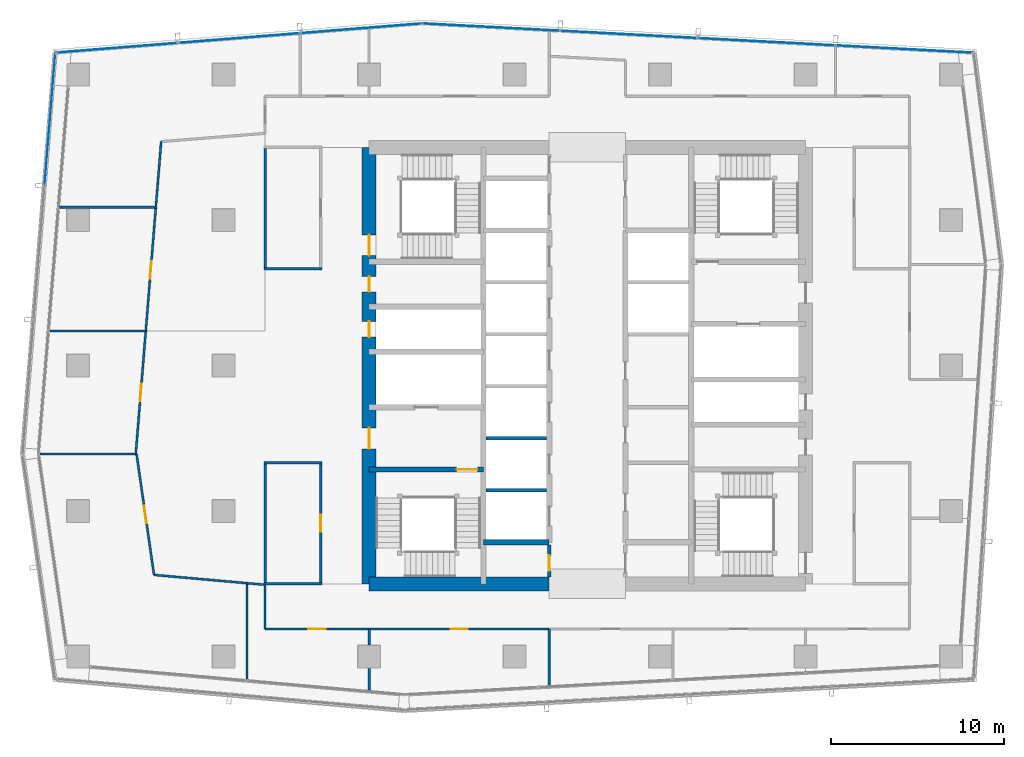
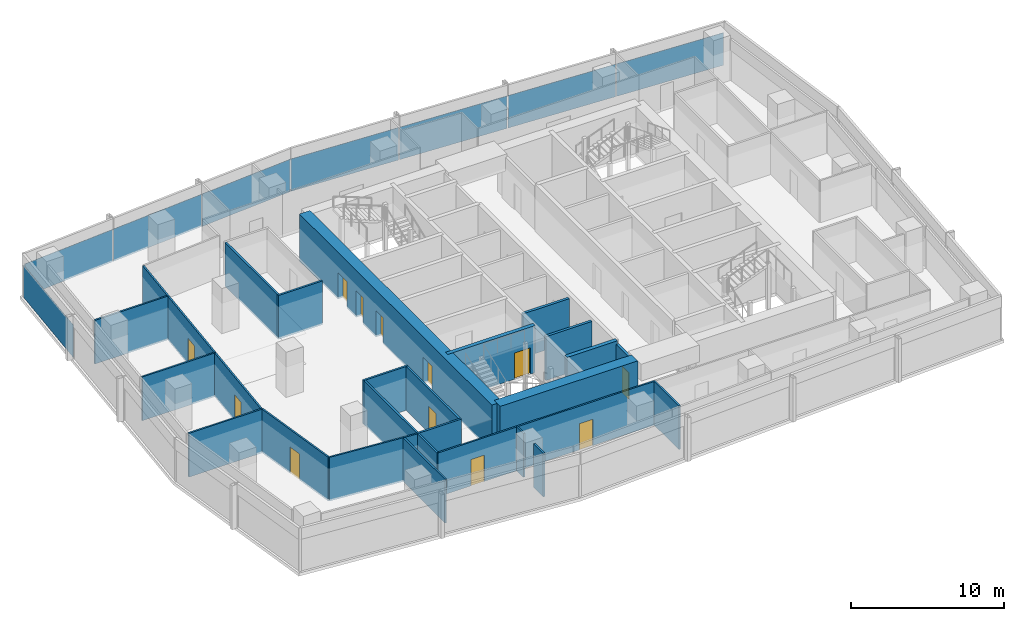
# One storey, part 22 of 29: 29 walls, 12 doors, 8 plates, 12 openings, 3 elements without a shape of their own.
"""IFC4 building model written with IfcOpenShell, lengths in metres."""

from ifc_helpers import new_model, si_unit, direction, frame, frame_2d, origin, origin_2d, place, context, subcontext, project, spatial, rectangle, extrude, material, layer, layer_set, type_object, element, fill, aggregate, save


model = new_model("IFC4")

# Units and contexts
model_context = context("Model", 3, precision=1e-05, world=origin(), true_north=direction((0.0, 1.0)))
body_context = subcontext(model_context, "Body", "Model", "MODEL_VIEW")
ifc_project = project(units=[si_unit("LENGTHUNIT", "METRE"), si_unit("AREAUNIT", "SQUARE_METRE"), si_unit("VOLUMEUNIT", "CUBIC_METRE"), si_unit("PLANEANGLEUNIT", "RADIAN"), si_unit("MASSUNIT", "GRAM", prefix="KILO")], contexts=[model_context])

# Site, building, storey
site_placement = place(None, origin())
site = spatial("IfcSite", under=ifc_project, at=site_placement, CompositionType="ELEMENT")
building_placement = place(site_placement, origin())
building = spatial("IfcBuilding", under=site, at=building_placement, Name="Rekha Terrace Tower", CompositionType="ELEMENT")
storey_placement = place(building_placement, frame((0.0, 0.0, 276.35009765625)))
storey = spatial("IfcBuildingStorey", under=building, at=storey_placement, Name="L70", CompositionType="ELEMENT", Elevation=276.35009765625)

# Curtain wall, plate
ifc_material_1 = material(Name="Aluminium framing", Category="aluminium")
curtain_wall_type_1 = type_object("IfcCurtainWallType", Name="CW2 double skin outer glazing", PredefinedType="USERDEFINED", material=ifc_material_1)
curtain_wall_1_placement = place(storey_placement, origin())
curtain_wall_1 = element("IfcCurtainWall", 1, at=curtain_wall_1_placement, inside=storey, type_object=curtain_wall_type_1, Name="CW2 double skin outer glazing", ObjectType="DOUBLE SKIN OUTER GLAZING", PredefinedType="USERDEFINED")
ifc_material_2 = material(Name="Toughened single glazing 12", Category="glass")
ifc_layer_1 = layer(ifc_material_2, 0.011962890625)
ifc_layer_set_1 = layer_set([ifc_layer_1], Name="Toughened single glazing 12")
plate_type_1 = type_object("IfcPlateType", Name="CW2 jumbo vision panel, toughened single glazing 12", PredefinedType="CURTAIN_PANEL", material=ifc_layer_set_1)
plate_1_placement = place(storey_placement, frame((6.7822265625, 47.813720703125, -0.000244140625), z_axis=(0.0, 0.0, 1.0), x_axis=(-0.081067906816, -0.996708580521, 0.0)))
plate_1 = element("IfcPlate", 2, at=plate_1_placement, type_object=plate_type_1, Name="CW2 panel 1.1", PredefinedType="CURTAIN_PANEL", context=body_context, shape_type="SweptSolid", body=[
    extrude(rectangle(XDim=7.640869140625, YDim=0.011962890625, at=origin_2d()), origin(), (0.0, 0.0, 1.0), 2.60009765625),
])
aggregate(curtain_wall_1, [plate_1])

# Curtain wall, plates
curtain_wall_type_2 = type_object("IfcCurtainWallType", Name="CW3 north unitised glazing", PredefinedType="USERDEFINED", material=ifc_material_1)
curtain_wall_2_placement = place(storey_placement, origin())
curtain_wall_2 = element("IfcCurtainWall", 3, at=curtain_wall_2_placement, inside=storey, type_object=curtain_wall_type_2, Name="CW3 unitised curtain wall", ObjectType="UNITISED CURTAIN WALL", PredefinedType="USERDEFINED")
ifc_material_3 = material(Name="Double-glazed unit 28", Category="glass")
ifc_layer_2 = layer(ifc_material_3, 0.028076171875)
ifc_layer_set_2 = layer_set([ifc_layer_2], Name="Double-glazed unit 28")
plate_type_2 = type_object("IfcPlateType", Name="CW3 jumbo vision panel, double-glazed unit 28", PredefinedType="CURTAIN_PANEL", material=ifc_layer_set_2)
plate_2_placement = place(storey_placement, frame((56.080322265625, 51.871337890625, -0.000244140625), z_axis=(0.0, 0.0, 1.0), x_axis=(-0.998590089005, 0.053083275524, 0.0)))
plate_2 = element("IfcPlate", 4, at=plate_2_placement, type_object=plate_type_2, Name="CW3 panel 1.1", PredefinedType="CURTAIN_PANEL", context=body_context, shape_type="SweptSolid", body=[
    extrude(rectangle(XDim=7.856201171875, YDim=0.028076171875, at=origin_2d()), origin(), (0.0, 0.0, 1.0), 2.60009765625),
])
plate_3_placement = place(storey_placement, frame((48.14794921875, 52.29296875, -0.000244140625), z_axis=(0.0, 0.0, 1.0), x_axis=(-0.998590089005, 0.053083275524, 0.0)))
plate_3 = element("IfcPlate", 5, at=plate_3_placement, type_object=plate_type_2, Name="CW3 panel 2.1", PredefinedType="CURTAIN_PANEL", context=body_context, shape_type="SweptSolid", body=[
    extrude(rectangle(XDim=7.891357421875, YDim=0.028076171875, at=origin_2d()), origin(), (0.0, 0.0, 1.0), 2.60009765625),
])
plate_4_placement = place(storey_placement, frame((40.19775390625, 52.715576171875, -0.000244140625), z_axis=(0.0, 0.0, 1.0), x_axis=(-0.998590089005, 0.053083275524, 0.0)))
plate_4 = element("IfcPlate", 6, at=plate_4_placement, type_object=plate_type_2, Name="CW3 panel 3.1", PredefinedType="CURTAIN_PANEL", context=body_context, shape_type="SweptSolid", body=[
    extrude(rectangle(XDim=7.891357421875, YDim=0.028076171875, at=origin_2d()), origin(), (0.0, 0.0, 1.0), 2.60009765625),
])
plate_5_placement = place(storey_placement, frame((32.230224609375, 53.13916015625, -0.000244140625), z_axis=(0.0, 0.0, 1.0), x_axis=(-0.998590089005, 0.053083275524, 0.0)))
plate_5 = element("IfcPlate", 7, at=plate_5_placement, type_object=plate_type_2, Name="CW3 panel 4.1", PredefinedType="CURTAIN_PANEL", context=body_context, shape_type="SweptSolid", body=[
    extrude(rectangle(XDim=7.92626953125, YDim=0.028076171875, at=origin_2d()), origin(), (0.0, 0.0, 1.0), 2.60009765625),
])
aggregate(curtain_wall_2, [plate_2, plate_3, plate_4, plate_5])

curtain_wall_3_placement = place(storey_placement, origin())
curtain_wall_3 = element("IfcCurtainWall", 8, at=curtain_wall_3_placement, inside=storey, type_object=curtain_wall_type_2, Name="CW3 unitised curtain wall", ObjectType="UNITISED CURTAIN WALL", PredefinedType="USERDEFINED")
plate_6_placement = place(storey_placement, frame((24.732421875, 53.0673828125, -0.000244140625), z_axis=(0.0, 0.0, 1.0), x_axis=(-0.996836058026, -0.07948505154, 0.0)))
plate_6 = element("IfcPlate", 9, at=plate_6_placement, type_object=plate_type_2, Name="CW3 panel 1.1", PredefinedType="CURTAIN_PANEL", context=body_context, shape_type="SweptSolid", body=[
    extrude(rectangle(XDim=6.963134765625, YDim=0.028076171875, at=origin_2d()), origin(), (0.0, 0.0, 1.0), 2.60009765625),
])
plate_7_placement = place(storey_placement, frame((17.7041015625, 52.5068359375, -0.000244140625), z_axis=(0.0, 0.0, 1.0), x_axis=(-0.996836058026, -0.07948505154, 0.0)))
plate_7 = element("IfcPlate", 10, at=plate_7_placement, type_object=plate_type_2, Name="CW3 panel 2.1", PredefinedType="CURTAIN_PANEL", context=body_context, shape_type="SweptSolid", body=[
    extrude(rectangle(XDim=6.998046875, YDim=0.028076171875, at=origin_2d()), origin(), (0.0, 0.0, 1.0), 2.60009765625),
])
plate_8_placement = place(storey_placement, frame((10.67578125, 51.946533203125, -0.000244140625), z_axis=(0.0, 0.0, 1.0), x_axis=(-0.996836058026, -0.07948505154, 0.0)))
plate_8 = element("IfcPlate", 11, at=plate_8_placement, type_object=plate_type_2, Name="CW3 panel 3.1", PredefinedType="CURTAIN_PANEL", context=body_context, shape_type="SweptSolid", body=[
    extrude(rectangle(XDim=6.963134765625, YDim=0.028076171875, at=origin_2d()), origin(), (0.0, 0.0, 1.0), 2.60009765625),
])
aggregate(curtain_wall_3, [plate_6, plate_7, plate_8])

# Wall
ifc_material_4 = material(Name="Concrete M60", Category="concrete")
ifc_layer_3 = layer(ifc_material_4, 0.300048828125)
ifc_layer_set_3 = layer_set([ifc_layer_3], Name="Concrete M60")
wall_type_1 = type_object("IfcWallType", Name="CI5 300 core internal shear wall", PredefinedType="SHEAR", material=ifc_layer_set_3)
wall_1_placement = place(storey_placement, frame((31.800048828125, 23.39990234375, 0.0), z_axis=(0.0, 0.0, 1.0), x_axis=(1.0, 0.0, 0.0)))
element("IfcWall", 12, at=wall_1_placement, inside=storey, type_object=wall_type_1, Name="Core wall Y234W L70", PredefinedType="SHEAR", context=body_context, shape_type="SweptSolid", body=[
    extrude(rectangle(XDim=3.800048828125, YDim=0.300048828125, at=frame_2d((1.89990234375, 0.0))), origin(), (0.0, 0.0, 1.0), 3.75),
])

# Wall, opening, door
wall_2_placement = place(storey_placement, frame((25.199951171875, 27.60009765625, 0.0), z_axis=(0.0, 0.0, 1.0), x_axis=(1.0, 0.0, 0.0)))
wall_2 = element("IfcWall", 13, at=wall_2_placement, inside=storey, type_object=wall_type_1, Name="Core wall Y276W L70", PredefinedType="SHEAR", context=body_context, shape_type="SweptSolid", body=[
    extrude(rectangle(XDim=6.60009765625, YDim=0.300048828125, at=frame_2d((3.300048828125, 0.0))), origin(), (0.0, 0.0, 1.0), 3.75),
])
opening_1_placement = place(wall_2_placement, frame((5.050048828125, 0.0, 0.0)))
opening_1 = element("IfcOpeningElement", 14, at=opening_1_placement, cuts=wall_2, Name="Opening D1", PredefinedType="OPENING", context=body_context, shape_type="SweptSolid", body=[
    extrude(rectangle(XDim=1.199951171875, YDim=2.10009765625, at=frame_2d((0.60009765625, 1.050048828125))), frame((0.0, 0.159912109375, 0.0), z_axis=(0.0, -1.0, 0.0), x_axis=(1.0, 0.0, 0.0)), (0.0, 0.0, 1.0), 0.320068359375),
])
ifc_material_5 = material(Name="Steel fire door", Category="steel")
door_type_1 = type_object("IfcDoorType", Name="D1 1200x2100 stair fire door", OperationType="SINGLE_SWING_RIGHT", PredefinedType="DOOR", material=ifc_material_5)
door_1_placement = place(opening_1_placement, origin())
door_1 = element("IfcDoor", 15, at=door_1_placement, inside=storey, type_object=door_type_1, Name="Stair ST1 door L70", OperationType="SINGLE_SWING_RIGHT", OverallHeight=2.10009765625, OverallWidth=1.199951171875, PredefinedType="DOOR", context=body_context, shape_type="SweptSolid", body=[
    extrude(rectangle(XDim=1.199951171875, YDim=2.10009765625, at=frame_2d((0.60009765625, 1.050048828125))), frame((0.0, 0.02490234375, 0.0), z_axis=(0.0, -1.0, 0.0), x_axis=(1.0, 0.0, 0.0)), (0.0, 0.0, 1.0), 0.050048828125),
])
fill(opening_1, door_1)

# Wall
ifc_layer_4 = layer(ifc_material_4, 0.800048828125)
ifc_layer_set_4 = layer_set([ifc_layer_4], Name="Concrete M60")
wall_type_2 = type_object("IfcWallType", Name="SW5 800 core outer shear wall", PredefinedType="SHEAR", material=ifc_layer_set_4)
wall_3_placement = place(storey_placement, frame((25.199951171875, 21.0, 0.0), z_axis=(0.0, 0.0, 1.0), x_axis=(1.0, 0.0, 0.0)))
element("IfcWall", 16, at=wall_3_placement, inside=storey, type_object=wall_type_2, Name="Core wall S1 L70", PredefinedType="SHEAR", context=body_context, shape_type="SweptSolid", body=[
    extrude(rectangle(XDim=10.400146484375, YDim=0.800048828125, at=frame_2d((5.2001953125, 0.0))), origin(), (0.0, 0.0, 1.0), 3.75),
])

# Wall, openings, doors
wall_4_placement = place(storey_placement, frame((25.199951171875, 21.0, 0.0), z_axis=(0.0, 0.0, 1.0), x_axis=(0.0, 1.0, 0.0)))
wall_4 = element("IfcWall", 17, at=wall_4_placement, inside=storey, type_object=wall_type_2, Name="Core wall W L70", PredefinedType="SHEAR", context=body_context, shape_type="SweptSolid", body=[
    extrude(rectangle(XDim=25.199951171875, YDim=0.800048828125, at=frame_2d((12.60009765625, 0.0))), origin(), (0.0, 0.0, 1.0), 3.75),
])
opening_2_placement = place(wall_4_placement, frame((7.800048828125, 0.0, 0.0)))
opening_2 = element("IfcOpeningElement", 18, at=opening_2_placement, cuts=wall_4, Name="Opening D2", PredefinedType="OPENING", context=body_context, shape_type="SweptSolid", body=[
    extrude(rectangle(XDim=1.199951171875, YDim=2.10009765625, at=frame_2d((0.60009765625, 1.050048828125))), frame((0.0, 0.409912109375, 0.0), z_axis=(0.0, -1.0, 0.0), x_axis=(1.0, 0.0, 0.0)), (0.0, 0.0, 1.0), 0.820068359375),
])
opening_3_placement = place(wall_4_placement, frame((14.25, 0.0, 0.0)))
opening_3 = element("IfcOpeningElement", 19, at=opening_3_placement, cuts=wall_4, Name="Opening D5", PredefinedType="OPENING", context=body_context, shape_type="SweptSolid", body=[
    extrude(rectangle(XDim=0.89990234375, YDim=2.10009765625, at=frame_2d((0.449951171875, 1.050048828125))), frame((0.0, 0.409912109375, 0.0), z_axis=(0.0, -1.0, 0.0), x_axis=(1.0, 0.0, 0.0)), (0.0, 0.0, 1.0), 0.820068359375),
])
opening_4_placement = place(wall_4_placement, frame((16.85009765625, 0.0, 0.0)))
opening_4 = element("IfcOpeningElement", 20, at=opening_4_placement, cuts=wall_4, Name="Opening D5", PredefinedType="OPENING", context=body_context, shape_type="SweptSolid", body=[
    extrude(rectangle(XDim=0.89990234375, YDim=2.10009765625, at=frame_2d((0.449951171875, 1.050048828125))), frame((0.0, 0.409912109375, 0.0), z_axis=(0.0, -1.0, 0.0), x_axis=(1.0, 0.0, 0.0)), (0.0, 0.0, 1.0), 0.820068359375),
])
opening_5_placement = place(wall_4_placement, frame((18.949951171875, 0.0, 0.0)))
opening_5 = element("IfcOpeningElement", 21, at=opening_5_placement, cuts=wall_4, Name="Opening D1", PredefinedType="OPENING", context=body_context, shape_type="SweptSolid", body=[
    extrude(rectangle(XDim=1.199951171875, YDim=2.10009765625, at=frame_2d((0.60009765625, 1.050048828125))), frame((0.0, 0.409912109375, 0.0), z_axis=(0.0, -1.0, 0.0), x_axis=(1.0, 0.0, 0.0)), (0.0, 0.0, 1.0), 0.820068359375),
])
door_2_placement = place(opening_5_placement, origin())
door_2 = element("IfcDoor", 22, at=door_2_placement, inside=storey, type_object=door_type_1, Name="Stair ST4 door L70", OperationType="SINGLE_SWING_RIGHT", OverallHeight=2.10009765625, OverallWidth=1.199951171875, PredefinedType="DOOR", context=body_context, shape_type="SweptSolid", body=[
    extrude(rectangle(XDim=1.199951171875, YDim=2.10009765625, at=frame_2d((0.60009765625, 1.050048828125))), frame((0.0, 0.02490234375, 0.0), z_axis=(0.0, -1.0, 0.0), x_axis=(1.0, 0.0, 0.0)), (0.0, 0.0, 1.0), 0.050048828125),
])
fill(opening_5, door_2)
door_type_2 = type_object("IfcDoorType", Name="D2 1200x2100 firefighting lobby door", OperationType="SINGLE_SWING_LEFT", PredefinedType="DOOR", material=ifc_material_5)
door_3_placement = place(opening_2_placement, origin())
door_3 = element("IfcDoor", 23, at=door_3_placement, inside=storey, type_object=door_type_2, Name="Door flb1 L70", OperationType="SINGLE_SWING_LEFT", OverallHeight=2.10009765625, OverallWidth=1.199951171875, PredefinedType="DOOR", context=body_context, shape_type="SweptSolid", body=[
    extrude(rectangle(XDim=1.199951171875, YDim=2.10009765625, at=frame_2d((0.60009765625, 1.050048828125))), frame((0.0, 0.02490234375, 0.0), z_axis=(0.0, -1.0, 0.0), x_axis=(1.0, 0.0, 0.0)), (0.0, 0.0, 1.0), 0.050048828125),
])
fill(opening_2, door_3)
door_type_3 = type_object("IfcDoorType", Name="D5 900x2100 riser access door", OperationType="SINGLE_SWING_LEFT", PredefinedType="DOOR", material=ifc_material_5)
door_4_placement = place(opening_3_placement, origin())
door_4 = element("IfcDoor", 24, at=door_4_placement, inside=storey, type_object=door_type_3, Name="Door rs1 L70", OperationType="SINGLE_SWING_LEFT", OverallHeight=2.10009765625, OverallWidth=0.89990234375, PredefinedType="DOOR", context=body_context, shape_type="SweptSolid", body=[
    extrude(rectangle(XDim=0.89990234375, YDim=2.10009765625, at=frame_2d((0.449951171875, 1.050048828125))), frame((0.0, 0.02490234375, 0.0), z_axis=(0.0, -1.0, 0.0), x_axis=(1.0, 0.0, 0.0)), (0.0, 0.0, 1.0), 0.050048828125),
])
fill(opening_3, door_4)
door_5_placement = place(opening_4_placement, origin())
door_5 = element("IfcDoor", 25, at=door_5_placement, inside=storey, type_object=door_type_3, Name="Door elw L70", OperationType="SINGLE_SWING_LEFT", OverallHeight=2.10009765625, OverallWidth=0.89990234375, PredefinedType="DOOR", context=body_context, shape_type="SweptSolid", body=[
    extrude(rectangle(XDim=0.89990234375, YDim=2.10009765625, at=frame_2d((0.449951171875, 1.050048828125))), frame((0.0, 0.02490234375, 0.0), z_axis=(0.0, -1.0, 0.0), x_axis=(1.0, 0.0, 0.0)), (0.0, 0.0, 1.0), 0.050048828125),
])
fill(opening_4, door_5)

# Walls
ifc_material_6 = material(Name="Concrete block masonry, 1 hour", Category="masonry")
ifc_layer_5 = layer(ifc_material_6, 0.14990234375)
ifc_layer_set_5 = layer_set([ifc_layer_5], Name="Concrete block masonry, 1 hour")
wall_type_3 = type_object("IfcWallType", Name="WP2 150 tenancy partition", PredefinedType="PARTITIONING", material=ifc_layer_set_5)
wall_5_placement = place(storey_placement, frame((19.125, 39.199951171875, 0.0), z_axis=(0.0, 0.0, 1.0), x_axis=(1.0, 0.0, 0.0)))
element("IfcWall", 26, at=wall_5_placement, inside=storey, type_object=wall_type_3, Name="Women's WC wall L70", PredefinedType="PARTITIONING", context=body_context, shape_type="SweptSolid", body=[
    extrude(rectangle(XDim=3.35009765625, YDim=0.14990234375, at=frame_2d((1.675048828125, 0.0))), origin(), (0.0, 0.0, 1.0), 3.5),
])
wall_6_placement = place(storey_placement, frame((19.199951171875, 39.27490234375, 0.0), z_axis=(0.0, 0.0, 1.0), x_axis=(0.0, 1.0, 0.0)))
element("IfcWall", 27, at=wall_6_placement, inside=storey, type_object=wall_type_3, Name="Women's WC wall L70", PredefinedType="PARTITIONING", context=body_context, shape_type="SweptSolid", body=[
    extrude(rectangle(XDim=6.85009765625, YDim=0.14990234375, at=frame_2d((3.425048828125, 0.0))), origin(), (0.0, 0.0, 1.0), 3.5),
])
for number, where, z_axis, x_axis, name in (
    (28, (19.125, 21.0, 0.0), (0.0, 0.0, 1.0), (1.0, 0.0, 0.0), "Men's WC wall L70"),
    (29, (19.125, 28.0, 0.0), (0.0, 0.0, 1.0), (1.0, 0.0, 0.0), "Men's WC wall L70"),
):
    element("IfcWall", number, at=place(storey_placement, frame(where, z_axis=z_axis, x_axis=x_axis)), inside=storey, type_object=wall_type_3, Name=name, PredefinedType="PARTITIONING", context=body_context, shape_type="SweptSolid", body=[
        extrude(rectangle(XDim=3.35009765625, YDim=0.14990234375, at=frame_2d((1.675048828125, 0.0))), origin(), (0.0, 0.0, 1.0), 3.5),
    ])
wall_7_placement = place(storey_placement, frame((19.199951171875, 21.074951171875, 0.0), z_axis=(0.0, 0.0, 1.0), x_axis=(0.0, 1.0, 0.0)))
element("IfcWall", 30, at=wall_7_placement, inside=storey, type_object=wall_type_3, Name="Men's WC wall L70", PredefinedType="PARTITIONING", context=body_context, shape_type="SweptSolid", body=[
    extrude(rectangle(XDim=6.85009765625, YDim=0.14990234375, at=frame_2d((3.425048828125, 0.0))), origin(), (0.0, 0.0, 1.0), 3.5),
])

# Wall, opening, door
wall_8_placement = place(storey_placement, frame((22.39990234375, 21.074951171875, 0.0), z_axis=(0.0, 0.0, 1.0), x_axis=(0.0, 1.0, 0.0)))
wall_8 = element("IfcWall", 31, at=wall_8_placement, inside=storey, type_object=wall_type_3, Name="Men's WC wall L70", PredefinedType="PARTITIONING", context=body_context, shape_type="SweptSolid", body=[
    extrude(rectangle(XDim=6.85009765625, YDim=0.14990234375, at=frame_2d((3.425048828125, 0.0))), origin(), (0.0, 0.0, 1.0), 3.5),
])
opening_6_placement = place(wall_8_placement, frame((2.925048828125, 0.0, 0.0)))
opening_6 = element("IfcOpeningElement", 32, at=opening_6_placement, cuts=wall_8, Name="Opening D3", PredefinedType="OPENING", context=body_context, shape_type="SweptSolid", body=[
    extrude(rectangle(XDim=1.0, YDim=2.10009765625, at=frame_2d((0.5, 1.050048828125))), frame((0.0, 0.0849609375, 0.0), z_axis=(0.0, -1.0, 0.0), x_axis=(1.0, 0.0, 0.0)), (0.0, 0.0, 1.0), 0.169921875),
])
ifc_material_7 = material(Name="Laminated timber fire door", Category="wood")
door_type_4 = type_object("IfcDoorType", Name="D3 1000x2100 WC door", OperationType="SINGLE_SWING_LEFT", PredefinedType="DOOR", material=ifc_material_7)
door_6_placement = place(opening_6_placement, origin())
door_6 = element("IfcDoor", 33, at=door_6_placement, inside=storey, type_object=door_type_4, Name="Door men's wc L70", OperationType="SINGLE_SWING_LEFT", OverallHeight=2.10009765625, OverallWidth=1.0, PredefinedType="DOOR", context=body_context, shape_type="SweptSolid", body=[
    extrude(rectangle(XDim=1.0, YDim=2.10009765625, at=frame_2d((0.5, 1.050048828125))), frame((0.0, 0.02490234375, 0.0), z_axis=(0.0, -1.0, 0.0), x_axis=(1.0, 0.0, 0.0)), (0.0, 0.0, 1.0), 0.050048828125),
])
fill(opening_6, door_6)

# Walls
ifc_material_8 = material(Name="Two layers of fire-rated gypsum board each side on steel studs, acoustic quilt, 1 hour", Category="steel")
ifc_layer_6 = layer(ifc_material_8, 0.125)
ifc_layer_set_6 = layer_set([ifc_layer_6], Name="Two layers of fire-rated gypsum board each side on steel studs, acoustic quilt, 1 hour")
wall_type_4 = type_object("IfcWallType", Name="WP3 125 office partition", PredefinedType="PARTITIONING", material=ifc_layer_set_6)
wall_9_placement = place(storey_placement, frame((13.198974609375, 46.530029296875, 0.0), z_axis=(0.0, 0.0, 1.0), x_axis=(-0.081048669132, -0.996710145043, 0.0)))
element("IfcWall", 34, at=wall_9_placement, inside=storey, type_object=wall_type_4, Name="Partition L70-06", PredefinedType="PARTITIONING", context=body_context, shape_type="SweptSolid", body=[
    extrude(rectangle(XDim=3.8857421875, YDim=0.125, at=frame_2d((1.94287109375, 0.0))), origin(), (0.0, 0.0, 1.0), 3.5),
])
wall_10_placement = place(storey_placement, frame((12.827880859375, 42.741943359375, 0.0), z_axis=(0.0, 0.0, 1.0), x_axis=(-1.0, 0.0, 0.0)))
element("IfcWall", 35, at=wall_10_placement, inside=storey, type_object=wall_type_4, Name="Partition L70-06", PredefinedType="PARTITIONING", context=body_context, shape_type="SweptSolid", body=[
    extrude(rectangle(XDim=5.5048828125, YDim=0.125, at=frame_2d((2.75244140625, 0.0))), origin(), (0.0, 0.0, 1.0), 3.5),
])

# Wall, opening, door
wall_11_placement = place(storey_placement, frame((12.884033203125, 42.656005859375, 0.0), z_axis=(0.0, 0.0, 1.0), x_axis=(-0.08110159124, -0.996705840205, 0.0)))
wall_11 = element("IfcWall", 36, at=wall_11_placement, inside=storey, type_object=wall_type_4, Name="Partition L70-07", PredefinedType="PARTITIONING", context=body_context, shape_type="SweptSolid", body=[
    extrude(rectangle(XDim=7.08935546875, YDim=0.125, at=frame_2d((3.544677734375, 0.0))), origin(), (0.0, 0.0, 1.0), 3.5),
])
opening_7_placement = place(wall_11_placement, frame((3.044921875, 0.0, 0.0)))
opening_7 = element("IfcOpeningElement", 37, at=opening_7_placement, cuts=wall_11, Name="Opening D9", PredefinedType="OPENING", context=body_context, shape_type="SweptSolid", body=[
    extrude(rectangle(XDim=1.0, YDim=2.10009765625, at=frame_2d((0.5, 1.050048828125))), frame((0.0, 0.072509765625, 0.0), z_axis=(0.0, -1.0, 0.0), x_axis=(1.0, 0.0, 0.0)), (0.0, 0.0, 1.0), 0.14501953125),
])
ifc_material_9 = material(Name="Timber fire door", Category="wood")
door_type_5 = type_object("IfcDoorType", Name="D9 1000x2100 office door", OperationType="SINGLE_SWING_LEFT", PredefinedType="DOOR", material=ifc_material_9)
door_7_placement = place(opening_7_placement, origin())
door_7 = element("IfcDoor", 38, at=door_7_placement, inside=storey, type_object=door_type_5, Name="Door board meeting room L70", OperationType="SINGLE_SWING_LEFT", OverallHeight=2.10009765625, OverallWidth=1.0, PredefinedType="DOOR", context=body_context, shape_type="SweptSolid", body=[
    extrude(rectangle(XDim=1.0, YDim=2.10009765625, at=frame_2d((0.5, 1.050048828125))), frame((0.0, 0.02490234375, 0.0), z_axis=(0.0, -1.0, 0.0), x_axis=(1.0, 0.0, 0.0)), (0.0, 0.0, 1.0), 0.050048828125),
])
fill(opening_7, door_7)

# Walls
wall_12_placement = place(storey_placement, frame((12.30908203125, 35.590087890625, 0.0), z_axis=(0.0, 0.0, 1.0), x_axis=(-1.0, 0.0, 0.0)))
element("IfcWall", 39, at=wall_12_placement, inside=storey, type_object=wall_type_4, Name="Partition L70-07", PredefinedType="PARTITIONING", context=body_context, shape_type="SweptSolid", body=[
    extrude(rectangle(XDim=5.5380859375, YDim=0.125, at=frame_2d((2.76904296875, 0.0))), origin(), (0.0, 0.0, 1.0), 3.5),
])
wall_13_placement = place(storey_placement, frame((35.59912109375, 15.118896484375, 0.0), z_axis=(0.0, 0.0, 1.0), x_axis=(0.0, 1.0, 0.0)))
element("IfcWall", 40, at=wall_13_placement, inside=storey, type_object=wall_type_4, Name="Partition L70-09", PredefinedType="PARTITIONING", context=body_context, shape_type="SweptSolid", body=[
    extrude(rectangle(XDim=3.281005859375, YDim=0.125, at=frame_2d((1.640625, 0.0))), origin(), (0.0, 0.0, 1.0), 3.5),
])

# Wall, opening, door
wall_14_placement = place(storey_placement, frame((12.30908203125, 35.589111328125, 0.0), z_axis=(0.0, 0.0, 1.0), x_axis=(-0.081053384124, -0.996709761627, 0.0)))
wall_14 = element("IfcWall", 41, at=wall_14_placement, inside=storey, type_object=wall_type_4, Name="Partition L70-12", PredefinedType="PARTITIONING", context=body_context, shape_type="SweptSolid", body=[
    extrude(rectangle(XDim=7.12060546875, YDim=0.125, at=frame_2d((3.560302734375, 0.0))), origin(), (0.0, 0.0, 1.0), 3.5),
])
opening_8_placement = place(wall_14_placement, frame((3.06005859375, 0.0, 0.0)))
opening_8 = element("IfcOpeningElement", 42, at=opening_8_placement, cuts=wall_14, Name="Opening D9", PredefinedType="OPENING", context=body_context, shape_type="SweptSolid", body=[
    extrude(rectangle(XDim=1.0, YDim=2.10009765625, at=frame_2d((0.5, 1.050048828125))), frame((0.0, 0.072509765625, 0.0), z_axis=(0.0, -1.0, 0.0), x_axis=(1.0, 0.0, 0.0)), (0.0, 0.0, 1.0), 0.14501953125),
])
door_8_placement = place(opening_8_placement, origin())
door_8 = element("IfcDoor", 43, at=door_8_placement, inside=storey, type_object=door_type_5, Name="Door wellness room L70", OperationType="SINGLE_SWING_LEFT", OverallHeight=2.10009765625, OverallWidth=1.0, PredefinedType="DOOR", context=body_context, shape_type="SweptSolid", body=[
    extrude(rectangle(XDim=1.0, YDim=2.10009765625, at=frame_2d((0.5, 1.050048828125))), frame((0.0, 0.02490234375, 0.0), z_axis=(0.0, -1.0, 0.0), x_axis=(1.0, 0.0, 0.0)), (0.0, 0.0, 1.0), 0.050048828125),
])
fill(opening_8, door_8)

# Wall
wall_15_placement = place(storey_placement, frame((11.73193359375, 28.491943359375, 0.0), z_axis=(0.0, 0.0, 1.0), x_axis=(-1.0, 0.0, 0.0)))
element("IfcWall", 44, at=wall_15_placement, inside=storey, type_object=wall_type_4, Name="Partition L70-12", PredefinedType="PARTITIONING", context=body_context, shape_type="SweptSolid", body=[
    extrude(rectangle(XDim=5.531005859375, YDim=0.125, at=frame_2d((2.765625, 0.0))), origin(), (0.0, 0.0, 1.0), 3.5),
])

# Wall, opening, door
wall_16_placement = place(storey_placement, frame((11.779052734375, 28.488037109375, 0.0), z_axis=(0.0, 0.0, 1.0), x_axis=(0.143139230014, -0.989702561799, 0.0)))
wall_16 = element("IfcWall", 45, at=wall_16_placement, inside=storey, type_object=wall_type_4, Name="Partition L70-13", PredefinedType="PARTITIONING", context=body_context, shape_type="SweptSolid", body=[
    extrude(rectangle(XDim=7.04248046875, YDim=0.125, at=frame_2d((3.521240234375, 0.0))), origin(), (0.0, 0.0, 1.0), 3.5),
])
opening_9_placement = place(wall_16_placement, frame((3.02001953125, 0.0, 0.0)))
opening_9 = element("IfcOpeningElement", 46, at=opening_9_placement, cuts=wall_16, Name="Opening D9", PredefinedType="OPENING", context=body_context, shape_type="SweptSolid", body=[
    extrude(rectangle(XDim=1.0, YDim=2.10009765625, at=frame_2d((0.5, 1.050048828125))), frame((0.0, 0.072509765625, 0.0), z_axis=(0.0, -1.0, 0.0), x_axis=(1.0, 0.0, 0.0)), (0.0, 0.0, 1.0), 0.14501953125),
])
door_9_placement = place(opening_9_placement, origin())
door_9 = element("IfcDoor", 47, at=door_9_placement, inside=storey, type_object=door_type_5, Name="Door director's office L70", OperationType="SINGLE_SWING_LEFT", OverallHeight=2.10009765625, OverallWidth=1.0, PredefinedType="DOOR", context=body_context, shape_type="SweptSolid", body=[
    extrude(rectangle(XDim=1.0, YDim=2.10009765625, at=frame_2d((0.5, 1.050048828125))), frame((0.0, 0.02490234375, 0.0), z_axis=(0.0, -1.0, 0.0), x_axis=(1.0, 0.0, 0.0)), (0.0, 0.0, 1.0), 0.050048828125),
])
fill(opening_9, door_9)

# Walls
wall_17_placement = place(storey_placement, frame((12.787109375, 21.51806640625, 0.0), z_axis=(0.0, 0.0, 1.0), x_axis=(0.996065348673, -0.088621787237, 0.0)))
element("IfcWall", 48, at=wall_17_placement, inside=storey, type_object=wall_type_4, Name="Partition L70-13", PredefinedType="PARTITIONING", context=body_context, shape_type="SweptSolid", body=[
    extrude(rectangle(XDim=5.383056640625, YDim=0.125, at=frame_2d((2.69140625, 0.0))), origin(), (0.0, 0.0, 1.0), 3.5),
])
wall_18_placement = place(storey_placement, frame((18.14892578125, 21.041015625, 0.0), z_axis=(0.0, 0.0, 1.0), x_axis=(0.0, -1.0, 0.0)))
element("IfcWall", 49, at=wall_18_placement, inside=storey, type_object=wall_type_4, Name="Partition L70-13", PredefinedType="PARTITIONING", context=body_context, shape_type="SweptSolid", body=[
    extrude(rectangle(XDim=5.541015625, YDim=0.125, at=frame_2d((2.7705078125, 0.0))), origin(), (0.0, 0.0, 1.0), 3.5),
])
wall_19_placement = place(storey_placement, frame((18.14990234375, 21.041015625, 0.0), z_axis=(0.0, 0.0, 1.0), x_axis=(0.996138836376, -0.087791905459, 0.0)))
element("IfcWall", 50, at=wall_19_placement, inside=storey, type_object=wall_type_4, Name="Partition L70-14", PredefinedType="PARTITIONING", context=body_context, shape_type="SweptSolid", body=[
    extrude(rectangle(XDim=0.978759765625, YDim=0.125, at=frame_2d((0.4892578125, 0.0))), origin(), (0.0, 0.0, 1.0), 3.5),
])
wall_20_placement = place(storey_placement, frame((19.199951171875, 20.925048828125, 0.0), z_axis=(0.0, 0.0, 1.0), x_axis=(0.0, -1.0, 0.0)))
element("IfcWall", 51, at=wall_20_placement, inside=storey, type_object=wall_type_4, Name="Partition L70-14", PredefinedType="PARTITIONING", context=body_context, shape_type="SweptSolid", body=[
    extrude(rectangle(XDim=2.525146484375, YDim=0.125, at=frame_2d((1.2626953125, 0.0))), origin(), (0.0, 0.0, 1.0), 3.5),
])

# Wall, opening, door
wall_21_placement = place(storey_placement, frame((19.199951171875, 18.39990234375, 0.0), z_axis=(0.0, 0.0, 1.0), x_axis=(1.0, 0.0, 0.0)))
wall_21 = element("IfcWall", 52, at=wall_21_placement, inside=storey, type_object=wall_type_4, Name="Partition L70-14", PredefinedType="PARTITIONING", context=body_context, shape_type="SweptSolid", body=[
    extrude(rectangle(XDim=6.006103515625, YDim=0.125, at=frame_2d((3.0029296875, 0.0))), origin(), (0.0, 0.0, 1.0), 3.5),
])
opening_10_placement = place(wall_21_placement, frame((2.5029296875, 0.0, 0.0)))
opening_10 = element("IfcOpeningElement", 53, at=opening_10_placement, cuts=wall_21, Name="Opening D9", PredefinedType="OPENING", context=body_context, shape_type="SweptSolid", body=[
    extrude(rectangle(XDim=1.0, YDim=2.10009765625, at=frame_2d((0.5, 1.050048828125))), frame((0.0, 0.072509765625, 0.0), z_axis=(0.0, -1.0, 0.0), x_axis=(1.0, 0.0, 0.0)), (0.0, 0.0, 1.0), 0.14501953125),
])
door_10_placement = place(opening_10_placement, origin())
door_10 = element("IfcDoor", 54, at=door_10_placement, inside=storey, type_object=door_type_5, Name="Door board meeting room L70", OperationType="SINGLE_SWING_LEFT", OverallHeight=2.10009765625, OverallWidth=1.0, PredefinedType="DOOR", context=body_context, shape_type="SweptSolid", body=[
    extrude(rectangle(XDim=1.0, YDim=2.10009765625, at=frame_2d((0.5, 1.050048828125))), frame((0.0, 0.02490234375, 0.0), z_axis=(0.0, -1.0, 0.0), x_axis=(1.0, 0.0, 0.0)), (0.0, 0.0, 1.0), 0.050048828125),
])
fill(opening_10, door_10)

# Walls
wall_22_placement = place(storey_placement, frame((25.2060546875, 18.39990234375, 0.0), z_axis=(0.0, 0.0, 1.0), x_axis=(0.0, -1.0, 0.0)))
element("IfcWall", 55, at=wall_22_placement, inside=storey, type_object=wall_type_4, Name="Partition L70-14", PredefinedType="PARTITIONING", context=body_context, shape_type="SweptSolid", body=[
    extrude(rectangle(XDim=0.929931640625, YDim=0.125, at=frame_2d((0.46484375, 0.0))), origin(), (0.0, 0.0, 1.0), 3.5),
])
wall_23_placement = place(storey_placement, frame((25.2060546875, 16.1298828125, 0.0), z_axis=(0.0, 0.0, 1.0), x_axis=(0.0, -1.0, 0.0)))
element("IfcWall", 56, at=wall_23_placement, inside=storey, type_object=wall_type_4, Name="Partition L70-14", PredefinedType="PARTITIONING", context=body_context, shape_type="SweptSolid", body=[
    extrude(rectangle(XDim=1.2578125, YDim=0.125, at=frame_2d((0.62890625, 0.0))), origin(), (0.0, 0.0, 1.0), 3.5),
])

# Wall, opening, door
wall_24_placement = place(storey_placement, frame((25.20703125, 18.39990234375, 0.0), z_axis=(0.0, 0.0, 1.0), x_axis=(1.0, 0.0, 0.0)))
wall_24 = element("IfcWall", 57, at=wall_24_placement, inside=storey, type_object=wall_type_4, Name="Partition L70-15", PredefinedType="PARTITIONING", context=body_context, shape_type="SweptSolid", body=[
    extrude(rectangle(XDim=10.390869140625, YDim=0.125, at=frame_2d((5.1953125, 0.0))), origin(), (0.0, 0.0, 1.0), 3.5),
])
opening_11_placement = place(wall_24_placement, frame((4.695068359375, 0.0, 0.0)))
opening_11 = element("IfcOpeningElement", 58, at=opening_11_placement, cuts=wall_24, Name="Opening D9", PredefinedType="OPENING", context=body_context, shape_type="SweptSolid", body=[
    extrude(rectangle(XDim=1.0, YDim=2.10009765625, at=frame_2d((0.5, 1.050048828125))), frame((0.0, 0.072509765625, 0.0), z_axis=(0.0, -1.0, 0.0), x_axis=(1.0, 0.0, 0.0)), (0.0, 0.0, 1.0), 0.14501953125),
])
door_11_placement = place(opening_11_placement, origin())
door_11 = element("IfcDoor", 59, at=door_11_placement, inside=storey, type_object=door_type_5, Name="Door wellness room L70", OperationType="SINGLE_SWING_LEFT", OverallHeight=2.10009765625, OverallWidth=1.0, PredefinedType="DOOR", context=body_context, shape_type="SweptSolid", body=[
    extrude(rectangle(XDim=1.0, YDim=2.10009765625, at=frame_2d((0.5, 1.050048828125))), frame((0.0, 0.02490234375, 0.0), z_axis=(0.0, -1.0, 0.0), x_axis=(1.0, 0.0, 0.0)), (0.0, 0.0, 1.0), 0.050048828125),
])
fill(opening_11, door_11)

# Walls
ifc_material_10 = material(Name="Solid concrete block masonry, 2 hour", Category="masonry")
ifc_layer_7 = layer(ifc_material_10, 0.199951171875)
ifc_layer_set_7 = layer_set([ifc_layer_7], Name="Solid concrete block masonry, 2 hour")
wall_type_5 = type_object("IfcWallType", Name="WS1 200 stair and shaft enclosure", PredefinedType="PARTITIONING", material=ifc_layer_set_7)
for number, where, z_axis, x_axis, name in (
    (60, (31.949951171875, 26.39990234375, 0.0), (0.0, 0.0, 1.0), (1.0, 0.0, 0.0), "Lift shaft divider L70"),
    (61, (31.949951171875, 29.39990234375, 0.0), (0.0, 0.0, 1.0), (1.0, 0.0, 0.0), "Lift shaft divider L70"),
):
    element("IfcWall", number, at=place(storey_placement, frame(where, z_axis=z_axis, x_axis=x_axis)), inside=storey, type_object=wall_type_5, Name=name, PredefinedType="PARTITIONING", context=body_context, shape_type="SweptSolid", body=[
        extrude(rectangle(XDim=3.5, YDim=0.199951171875, at=frame_2d((1.75, 0.0))), origin(), (0.0, 0.0, 1.0), 3.5),
    ])

# Wall, opening, door
wall_25_placement = place(storey_placement, frame((35.60009765625, 21.39990234375, 0.0), z_axis=(0.0, 0.0, 1.0), x_axis=(0.0, 1.0, 0.0)))
wall_25 = element("IfcWall", 62, at=wall_25_placement, inside=storey, type_object=wall_type_5, Name="Core partition west L70", PredefinedType="PARTITIONING", context=body_context, shape_type="SweptSolid", body=[
    extrude(rectangle(XDim=1.85009765625, YDim=0.199951171875, at=frame_2d((0.925048828125, 0.0))), origin(), (0.0, 0.0, 1.0), 3.5),
])
opening_12_placement = place(wall_25_placement, frame((0.35009765625, 0.0, 0.0)))
opening_12 = element("IfcOpeningElement", 63, at=opening_12_placement, cuts=wall_25, Name="Opening D5", PredefinedType="OPENING", context=body_context, shape_type="SweptSolid", body=[
    extrude(rectangle(XDim=0.89990234375, YDim=2.10009765625, at=frame_2d((0.449951171875, 1.050048828125))), frame((0.0, 0.10986328125, 0.0), z_axis=(0.0, -1.0, 0.0), x_axis=(1.0, 0.0, 0.0)), (0.0, 0.0, 1.0), 0.219970703125),
])
door_12_placement = place(opening_12_placement, origin())
door_12 = element("IfcDoor", 64, at=door_12_placement, inside=storey, type_object=door_type_3, Name="Door it comms room L70", OperationType="SINGLE_SWING_LEFT", OverallHeight=2.10009765625, OverallWidth=0.89990234375, PredefinedType="DOOR", context=body_context, shape_type="SweptSolid", body=[
    extrude(rectangle(XDim=0.89990234375, YDim=2.10009765625, at=frame_2d((0.449951171875, 1.050048828125))), frame((0.0, 0.02490234375, 0.0), z_axis=(0.0, -1.0, 0.0), x_axis=(1.0, 0.0, 0.0)), (0.0, 0.0, 1.0), 0.050048828125),
])
fill(opening_12, door_12)

save(model, "model.ifc")
